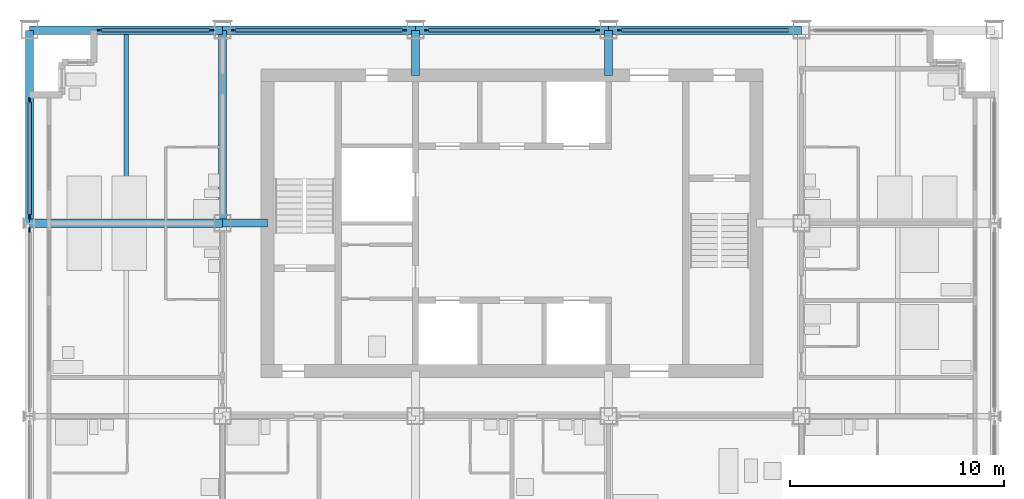
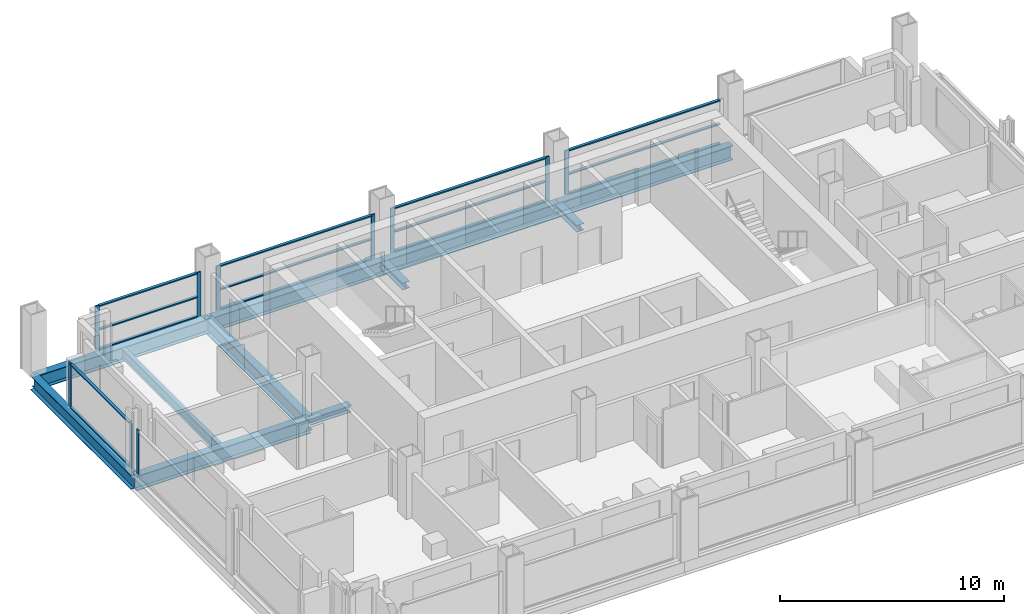
# One storey, part 4 of 13: 27 members, 8 beams, 6 elements without a shape of their own.
"""IFC4 building model written with IfcOpenShell, lengths in metres."""

from ifc_helpers import new_model, si_unit, direction, frame, origin, origin_2d, place, context, subcontext, project, spatial, rectangle, i_section, extrude, material, material_profile, profile_set, type_object, element, aggregate, save


model = new_model("IFC4")

# Units and contexts
model_context = context("Model", 3, precision=1e-05, world=origin(), true_north=direction((0.0, 1.0)))
body_context = subcontext(model_context, "Body", "Model", "MODEL_VIEW")
ifc_project = project(units=[si_unit("LENGTHUNIT", "METRE"), si_unit("AREAUNIT", "SQUARE_METRE"), si_unit("VOLUMEUNIT", "CUBIC_METRE"), si_unit("PLANEANGLEUNIT", "RADIAN"), si_unit("MASSUNIT", "GRAM", prefix="KILO")], contexts=[model_context])

# Site, building, storey
site_placement = place(None, origin())
site = spatial("IfcSite", under=ifc_project, at=site_placement, CompositionType="ELEMENT")
building_placement = place(site_placement, origin())
building = spatial("IfcBuilding", under=site, at=building_placement, Name="Loomwork Tower", CompositionType="ELEMENT")
storey_placement = place(building_placement, frame((0.0, 0.0, 201.199951171875)))
storey = spatial("IfcBuildingStorey", under=building, at=storey_placement, Name="L55", CompositionType="ELEMENT", Elevation=201.199951171875)

# Beams
ifc_material_1 = material(Name="Steel ASTM A992", Category="steel")
ifc_material_profile_1 = material_profile(ifc_material_1, i_section(OverallWidth=0.383544921875, OverallDepth=0.794921875, WebThickness=0.02099609375, FlangeThickness=0.0380859375, at=origin_2d()), Name="W30x235")
ifc_profile_set_1 = profile_set([ifc_material_profile_1], Name="Steel ASTM A992")
beam_type_1 = type_object("IfcBeamType", Name="CORE FLANK GIRDER W30x235", PredefinedType="BEAM", material=ifc_profile_set_1)
for number, where, z_axis, x_axis, name in (
    (1, (0.0, 18.0, -0.597412109375), (1.0, 0.0, 0.0), (0.0, 1.0, 0.0), "Core Flank Girder F/2-F/3 L55"),
    (2, (9.0, 18.0, -0.597412109375), (0.0, 1.0, 0.0), (-1.0, 0.0, 0.0), "Core Flank Girder F/3-G/3 L55"),
):
    element("IfcBeam", number, at=place(storey_placement, frame(where, z_axis=z_axis, x_axis=x_axis)), inside=storey, type_object=beam_type_1, Name=name, PredefinedType="BEAM", context=body_context, shape_type="SweptSolid", body=[
        extrude(i_section(OverallWidth=0.383544921875, OverallDepth=0.794921875, WebThickness=0.02099609375, FlangeThickness=0.0380859375, at=origin_2d()), origin(), (0.0, 0.0, 1.0), 9.0),
    ])

# Members
ifc_material_2 = material(Name="Steel ASTM A992", Category="steel")
ifc_material_profile_2 = material_profile(ifc_material_2, i_section(OverallWidth=0.373291015625, OverallDepth=0.373291015625, WebThickness=0.016357421875, FlangeThickness=0.026123046875, at=origin_2d()), Name="W14x132")
ifc_profile_set_2 = profile_set([ifc_material_profile_2], Name="Steel ASTM A992")
member_type_1 = type_object("IfcMemberType", Name="CORE LINK STRUT W14x132", PredefinedType="STRUT", material=ifc_profile_set_2)
for number, where, z_axis, x_axis, name in (
    (3, (27.0, 27.0, -0.38671875), (0.0, -1.0, 0.0), (1.0, 0.0, 0.0), "Core link strut G/5-27.000,24.900 L55"),
    (4, (18.0, 27.0, -0.38671875), (0.0, -1.0, 0.0), (1.0, 0.0, 0.0), "Core link strut G/4-18.000,24.900 L55"),
    (5, (9.0, 18.0, -0.38671875), (1.0, 0.0, 0.0), (0.0, 1.0, 0.0), "Core link strut F/3-11.100,18.000 L55"),
):
    element("IfcMember", number, at=place(storey_placement, frame(where, z_axis=z_axis, x_axis=x_axis)), inside=storey, type_object=member_type_1, Name=name, PredefinedType="STRUT", context=body_context, shape_type="SweptSolid", body=[
        extrude(i_section(OverallWidth=0.373291015625, OverallDepth=0.373291015625, WebThickness=0.016357421875, FlangeThickness=0.026123046875, at=origin_2d()), origin(), (0.0, 0.0, 1.0), 2.10009765625),
    ])

# Beam
ifc_material_3 = material(Name="Steel ASTM A992", Category="steel")
ifc_material_profile_3 = material_profile(ifc_material_3, i_section(OverallWidth=0.2109375, OverallDepth=0.53857421875, WebThickness=0.011474609375, FlangeThickness=0.018798828125, at=origin_2d()), Name="W21x73")
ifc_profile_set_3 = profile_set([ifc_material_profile_3], Name="Steel ASTM A992")
beam_type_2 = type_object("IfcBeamType", Name="FLOOR JOIST W21x73", PredefinedType="JOIST", material=ifc_profile_set_3)
beam_placement = place(storey_placement, frame((4.5, 18.19091796875, -0.46923828125), z_axis=(0.0, 1.0, 0.0), x_axis=(-1.0, 0.0, 0.0)))
element("IfcBeam", 6, at=beam_placement, inside=storey, type_object=beam_type_2, Name="Floor Joist 4.500,18.000-4.500,27.000 L55", PredefinedType="JOIST", context=body_context, shape_type="SweptSolid", body=[
    extrude(i_section(OverallWidth=0.2109375, OverallDepth=0.53857421875, WebThickness=0.011474609375, FlangeThickness=0.018798828125, at=origin_2d()), origin(), (0.0, 0.0, 1.0), 8.619140625),
])

# Curtain wall, member
ifc_material_4 = material(Name="Aluminium curtain wall frame", Category="aluminium")
curtain_wall_type_1 = type_object("IfcCurtainWallType", Name="Outer skin glazing hotel", PredefinedType="NOTDEFINED", material=ifc_material_4)
curtain_wall_1_placement = place(storey_placement, origin())
curtain_wall_1 = element("IfcCurtainWall", 7, at=curtain_wall_1_placement, inside=storey, type_object=curtain_wall_type_1, Name="Outer skin glazing hotel cw/W-9", PredefinedType="NOTDEFINED")
ifc_material_5 = material(Name="Aluminium curtain wall frame", Category="aluminium")
ifc_material_profile_4 = material_profile(ifc_material_5, rectangle(XDim=0.06494140625, YDim=0.199951171875, at=origin_2d()), Name="AL 65x200")
ifc_profile_set_4 = profile_set([ifc_material_profile_4], Name="Aluminium curtain wall frame")
member_type_2 = type_object("IfcMemberType", Name="Outer skin glazing hotel mullion", PredefinedType="MULLION", material=ifc_profile_set_4)
member_1_placement = place(storey_placement, frame((0.0, 17.6865234375, 0.0), z_axis=(0.0, 0.0, 1.0), x_axis=(1.0, 0.0, 0.0)))
member_1 = element("IfcMember", 8, at=member_1_placement, type_object=member_type_2, Name="CW1 mullion 1", PredefinedType="MULLION", context=body_context, shape_type="SweptSolid", body=[
    extrude(rectangle(XDim=0.06494140625, YDim=0.199951171875, at=origin_2d()), origin(), (0.0, 0.0, 1.0), 2.420166015625),
])
aggregate(curtain_wall_1, [member_1])

# Curtain wall, members
curtain_wall_2_placement = place(storey_placement, origin())
curtain_wall_2 = element("IfcCurtainWall", 9, at=curtain_wall_2_placement, inside=storey, type_object=curtain_wall_type_1, Name="Outer skin glazing hotel cw/W-18", PredefinedType="NOTDEFINED")
member_2_placement = place(storey_placement, frame((0.0, 23.75, 0.0), z_axis=(0.0, 0.0, 1.0), x_axis=(1.0, 0.0, 0.0)))
member_2 = element("IfcMember", 10, at=member_2_placement, type_object=member_type_2, Name="CW1 mullion 1", PredefinedType="MULLION", context=body_context, shape_type="SweptSolid", body=[
    extrude(rectangle(XDim=0.06494140625, YDim=0.199951171875, at=origin_2d()), origin(), (0.0, 0.0, 1.0), 2.420166015625),
])
member_3_placement = place(storey_placement, frame((0.0, 18.3134765625, 0.0), z_axis=(0.0, 0.0, 1.0), x_axis=(1.0, 0.0, 0.0)))
member_3 = element("IfcMember", 11, at=member_3_placement, type_object=member_type_2, Name="CW1 mullion 2", PredefinedType="MULLION", context=body_context, shape_type="SweptSolid", body=[
    extrude(rectangle(XDim=0.06494140625, YDim=0.199951171875, at=origin_2d()), origin(), (0.0, 0.0, 1.0), 2.420166015625),
])
ifc_material_6 = material(Name="Aluminium curtain wall frame", Category="aluminium")
ifc_material_profile_5 = material_profile(ifc_material_6, rectangle(XDim=0.14990234375, YDim=0.06494140625, at=origin_2d()), Name="AL 65x150")
ifc_profile_set_5 = profile_set([ifc_material_profile_5], Name="Aluminium curtain wall frame")
member_type_3 = type_object("IfcMemberType", Name="Outer skin glazing hotel transom", PredefinedType="USERDEFINED", material=ifc_profile_set_5)
member_4_placement = place(storey_placement, frame((0.0, 23.64990234375, 0.032470703125), z_axis=(0.0, -1.0, 0.0), x_axis=(1.0, 0.0, 0.0)))
member_4 = element("IfcMember", 12, at=member_4_placement, type_object=member_type_3, Name="CW1 transom 1.1", ObjectType="TRANSOM", PredefinedType="USERDEFINED", context=body_context, shape_type="SweptSolid", body=[
    extrude(rectangle(XDim=0.14990234375, YDim=0.06494140625, at=origin_2d()), origin(), (0.0, 0.0, 1.0), 5.236572265625),
])
member_5_placement = place(storey_placement, frame((0.0, 23.64990234375, 2.3876953125), z_axis=(0.0, -1.0, 0.0), x_axis=(1.0, 0.0, 0.0)))
member_5 = element("IfcMember", 13, at=member_5_placement, type_object=member_type_3, Name="CW1 transom 1.2", ObjectType="TRANSOM", PredefinedType="USERDEFINED", context=body_context, shape_type="SweptSolid", body=[
    extrude(rectangle(XDim=0.14990234375, YDim=0.06494140625, at=origin_2d()), origin(), (0.0, 0.0, 1.0), 5.236572265625),
])
aggregate(curtain_wall_2, [member_2, member_3, member_4, member_5])

# Beams
ifc_material_7 = material(Name="Steel ASTM A992", Category="steel")
ifc_material_profile_6 = material_profile(ifc_material_7, i_section(OverallWidth=0.381103515625, OverallDepth=0.77978515625, WebThickness=0.01806640625, FlangeThickness=0.0302734375, at=origin_2d()), Name="W30x191")
ifc_profile_set_6 = profile_set([ifc_material_profile_6], Name="Steel ASTM A992")
beam_type_3 = type_object("IfcBeamType", Name="SPANDREL GIRDER W30x191", PredefinedType="SPANDREL", material=ifc_profile_set_6)
for number, where, z_axis, x_axis, name in (
    (14, (0.0, 27.0, -0.58984375), (1.0, 0.0, 0.0), (0.0, 1.0, 0.0), "Spandrel Girder G/2-G/3 L55"),
    (15, (9.0, 27.0, -0.58984375), (1.0, 0.0, 0.0), (0.0, 1.0, 0.0), "Spandrel Girder G/3-G/4 L55"),
    (16, (18.0, 27.0, -0.58984375), (1.0, 0.0, 0.0), (0.0, 1.0, 0.0), "Spandrel Girder G/4-G/5 L55"),
    (17, (27.0, 27.0, -0.58984375), (1.0, 0.0, 0.0), (0.0, 1.0, 0.0), "Spandrel Girder G/5-G/6 L55"),
    (18, (0.0, 18.0, -0.58984375), (0.0, 1.0, 0.0), (-1.0, 0.0, 0.0), "Spandrel Girder F/2-G/2 L55"),
):
    element("IfcBeam", number, at=place(storey_placement, frame(where, z_axis=z_axis, x_axis=x_axis)), inside=storey, type_object=beam_type_3, Name=name, PredefinedType="SPANDREL", context=body_context, shape_type="SweptSolid", body=[
        extrude(i_section(OverallWidth=0.381103515625, OverallDepth=0.77978515625, WebThickness=0.01806640625, FlangeThickness=0.0302734375, at=origin_2d()), origin(), (0.0, 0.0, 1.0), 9.0),
    ])

# Curtain wall, members
ifc_material_8 = material(Name="Aluminium curtain wall frame", Category="aluminium")
curtain_wall_type_2 = type_object("IfcCurtainWallType", Name="Single skin glazing corridor", PredefinedType="NOTDEFINED", material=ifc_material_8)
curtain_wall_3_placement = place(storey_placement, origin())
curtain_wall_3 = element("IfcCurtainWall", 19, at=curtain_wall_3_placement, inside=storey, type_object=curtain_wall_type_2, Name="Single skin glazing corridor cw/N-0", PredefinedType="NOTDEFINED")
ifc_material_9 = material(Name="Aluminium curtain wall frame", Category="aluminium")
ifc_material_profile_7 = material_profile(ifc_material_9, rectangle(XDim=0.06494140625, YDim=0.199951171875, at=origin_2d()), Name="AL 65x200")
ifc_profile_set_7 = profile_set([ifc_material_profile_7], Name="Aluminium curtain wall frame")
member_type_4 = type_object("IfcMemberType", Name="Single skin glazing corridor mullion", PredefinedType="MULLION", material=ifc_profile_set_7)
member_6_placement = place(storey_placement, frame((8.5, 27.0, 0.0), z_axis=(0.0, 0.0, 1.0), x_axis=(0.0, -1.0, 0.0)))
member_6 = element("IfcMember", 20, at=member_6_placement, type_object=member_type_4, Name="CW3 mullion 1", PredefinedType="MULLION", context=body_context, shape_type="SweptSolid", body=[
    extrude(rectangle(XDim=0.06494140625, YDim=0.199951171875, at=origin_2d()), origin(), (0.0, 0.0, 1.0), 2.420166015625),
])
member_7_placement = place(storey_placement, frame((3.25, 27.0, 0.0), z_axis=(0.0, 0.0, 1.0), x_axis=(0.0, -1.0, 0.0)))
member_7 = element("IfcMember", 21, at=member_7_placement, type_object=member_type_4, Name="CW3 mullion 2", PredefinedType="MULLION", context=body_context, shape_type="SweptSolid", body=[
    extrude(rectangle(XDim=0.06494140625, YDim=0.199951171875, at=origin_2d()), origin(), (0.0, 0.0, 1.0), 2.420166015625),
])

curtain_wall_4_placement = place(storey_placement, origin())
curtain_wall_4 = element("IfcCurtainWall", 22, at=curtain_wall_4_placement, inside=storey, type_object=curtain_wall_type_2, Name="Single skin glazing corridor cw/N-9", PredefinedType="NOTDEFINED")
member_8_placement = place(storey_placement, frame((17.5, 27.0, 0.0), z_axis=(0.0, 0.0, 1.0), x_axis=(0.0, -1.0, 0.0)))
member_8 = element("IfcMember", 23, at=member_8_placement, type_object=member_type_4, Name="CW3 mullion 1", PredefinedType="MULLION", context=body_context, shape_type="SweptSolid", body=[
    extrude(rectangle(XDim=0.06494140625, YDim=0.199951171875, at=origin_2d()), origin(), (0.0, 0.0, 1.0), 2.420166015625),
])
member_9_placement = place(storey_placement, frame((9.5, 27.0, 0.0), z_axis=(0.0, 0.0, 1.0), x_axis=(0.0, -1.0, 0.0)))
member_9 = element("IfcMember", 24, at=member_9_placement, type_object=member_type_4, Name="CW3 mullion 2", PredefinedType="MULLION", context=body_context, shape_type="SweptSolid", body=[
    extrude(rectangle(XDim=0.06494140625, YDim=0.199951171875, at=origin_2d()), origin(), (0.0, 0.0, 1.0), 2.420166015625),
])

curtain_wall_5_placement = place(storey_placement, origin())
curtain_wall_5 = element("IfcCurtainWall", 25, at=curtain_wall_5_placement, inside=storey, type_object=curtain_wall_type_2, Name="Single skin glazing corridor cw/N-18", PredefinedType="NOTDEFINED")
member_10_placement = place(storey_placement, frame((26.5, 27.0, 0.0), z_axis=(0.0, 0.0, 1.0), x_axis=(0.0, -1.0, 0.0)))
member_10 = element("IfcMember", 26, at=member_10_placement, type_object=member_type_4, Name="CW3 mullion 1", PredefinedType="MULLION", context=body_context, shape_type="SweptSolid", body=[
    extrude(rectangle(XDim=0.06494140625, YDim=0.199951171875, at=origin_2d()), origin(), (0.0, 0.0, 1.0), 2.420166015625),
])
member_11_placement = place(storey_placement, frame((18.5, 27.0, 0.0), z_axis=(0.0, 0.0, 1.0), x_axis=(0.0, -1.0, 0.0)))
member_11 = element("IfcMember", 27, at=member_11_placement, type_object=member_type_4, Name="CW3 mullion 2", PredefinedType="MULLION", context=body_context, shape_type="SweptSolid", body=[
    extrude(rectangle(XDim=0.06494140625, YDim=0.199951171875, at=origin_2d()), origin(), (0.0, 0.0, 1.0), 2.420166015625),
])

# Curtain wall, member
curtain_wall_6_placement = place(storey_placement, origin())
curtain_wall_6 = element("IfcCurtainWall", 28, at=curtain_wall_6_placement, inside=storey, type_object=curtain_wall_type_2, Name="Single skin glazing corridor cw/N-27", PredefinedType="NOTDEFINED")
member_12_placement = place(storey_placement, frame((27.5, 27.0, 0.0), z_axis=(0.0, 0.0, 1.0), x_axis=(0.0, -1.0, 0.0)))
member_12 = element("IfcMember", 29, at=member_12_placement, type_object=member_type_4, Name="CW3 mullion 2", PredefinedType="MULLION", context=body_context, shape_type="SweptSolid", body=[
    extrude(rectangle(XDim=0.06494140625, YDim=0.199951171875, at=origin_2d()), origin(), (0.0, 0.0, 1.0), 2.420166015625),
])

# Member
ifc_material_10 = material(Name="Aluminium curtain wall frame", Category="aluminium")
ifc_material_profile_8 = material_profile(ifc_material_10, rectangle(XDim=0.14990234375, YDim=0.06494140625, at=origin_2d()), Name="AL 65x150")
ifc_profile_set_8 = profile_set([ifc_material_profile_8], Name="Aluminium curtain wall frame")
member_type_5 = type_object("IfcMemberType", Name="Single skin glazing corridor transom", PredefinedType="USERDEFINED", material=ifc_profile_set_8)
member_13_placement = place(storey_placement, frame((8.39990234375, 27.0, 0.032470703125), z_axis=(-1.0, 0.0, 0.0), x_axis=(0.0, -1.0, 0.0)))
member_13 = element("IfcMember", 30, at=member_13_placement, type_object=member_type_5, Name="CW3 transom 1.1", ObjectType="TRANSOM", PredefinedType="USERDEFINED", context=body_context, shape_type="SweptSolid", body=[
    extrude(rectangle(XDim=0.14990234375, YDim=0.06494140625, at=origin_2d()), origin(), (0.0, 0.0, 1.0), 5.0498046875),
])

member_14_placement = place(storey_placement, frame((8.39990234375, 27.0, 1.10009765625), z_axis=(-1.0, 0.0, 0.0), x_axis=(0.0, -1.0, 0.0)))
member_14 = element("IfcMember", 31, at=member_14_placement, type_object=member_type_5, Name="CW3 transom 1.2", ObjectType="TRANSOM", PredefinedType="USERDEFINED", context=body_context, shape_type="SweptSolid", body=[
    extrude(rectangle(XDim=0.14990234375, YDim=0.06494140625, at=origin_2d()), origin(), (0.0, 0.0, 1.0), 5.0498046875),
])

member_15_placement = place(storey_placement, frame((8.39990234375, 27.0, 2.3876953125), z_axis=(-1.0, 0.0, 0.0), x_axis=(0.0, -1.0, 0.0)))
member_15 = element("IfcMember", 32, at=member_15_placement, type_object=member_type_5, Name="CW3 transom 1.3", ObjectType="TRANSOM", PredefinedType="USERDEFINED", context=body_context, shape_type="SweptSolid", body=[
    extrude(rectangle(XDim=0.14990234375, YDim=0.06494140625, at=origin_2d()), origin(), (0.0, 0.0, 1.0), 5.0498046875),
])

aggregate(curtain_wall_3, [member_6, member_7, member_13, member_14, member_15])

member_16_placement = place(storey_placement, frame((17.39990234375, 27.0, 0.032470703125), z_axis=(-1.0, 0.0, 0.0), x_axis=(0.0, -1.0, 0.0)))
member_16 = element("IfcMember", 33, at=member_16_placement, type_object=member_type_5, Name="CW3 transom 1.1", ObjectType="TRANSOM", PredefinedType="USERDEFINED", context=body_context, shape_type="SweptSolid", body=[
    extrude(rectangle(XDim=0.14990234375, YDim=0.06494140625, at=origin_2d()), origin(), (0.0, 0.0, 1.0), 7.7998046875),
])

member_17_placement = place(storey_placement, frame((17.39990234375, 27.0, 1.10009765625), z_axis=(-1.0, 0.0, 0.0), x_axis=(0.0, -1.0, 0.0)))
member_17 = element("IfcMember", 34, at=member_17_placement, type_object=member_type_5, Name="CW3 transom 1.2", ObjectType="TRANSOM", PredefinedType="USERDEFINED", context=body_context, shape_type="SweptSolid", body=[
    extrude(rectangle(XDim=0.14990234375, YDim=0.06494140625, at=origin_2d()), origin(), (0.0, 0.0, 1.0), 7.7998046875),
])

member_18_placement = place(storey_placement, frame((17.39990234375, 27.0, 2.3876953125), z_axis=(-1.0, 0.0, 0.0), x_axis=(0.0, -1.0, 0.0)))
member_18 = element("IfcMember", 35, at=member_18_placement, type_object=member_type_5, Name="CW3 transom 1.3", ObjectType="TRANSOM", PredefinedType="USERDEFINED", context=body_context, shape_type="SweptSolid", body=[
    extrude(rectangle(XDim=0.14990234375, YDim=0.06494140625, at=origin_2d()), origin(), (0.0, 0.0, 1.0), 7.7998046875),
])

aggregate(curtain_wall_4, [member_8, member_9, member_16, member_17, member_18])

member_19_placement = place(storey_placement, frame((26.39990234375, 27.0, 0.032470703125), z_axis=(-1.0, 0.0, 0.0), x_axis=(0.0, -1.0, 0.0)))
member_19 = element("IfcMember", 36, at=member_19_placement, type_object=member_type_5, Name="CW3 transom 1.1", ObjectType="TRANSOM", PredefinedType="USERDEFINED", context=body_context, shape_type="SweptSolid", body=[
    extrude(rectangle(XDim=0.14990234375, YDim=0.06494140625, at=origin_2d()), origin(), (0.0, 0.0, 1.0), 7.7998046875),
])

member_20_placement = place(storey_placement, frame((26.39990234375, 27.0, 1.10009765625), z_axis=(-1.0, 0.0, 0.0), x_axis=(0.0, -1.0, 0.0)))
member_20 = element("IfcMember", 37, at=member_20_placement, type_object=member_type_5, Name="CW3 transom 1.2", ObjectType="TRANSOM", PredefinedType="USERDEFINED", context=body_context, shape_type="SweptSolid", body=[
    extrude(rectangle(XDim=0.14990234375, YDim=0.06494140625, at=origin_2d()), origin(), (0.0, 0.0, 1.0), 7.7998046875),
])

member_21_placement = place(storey_placement, frame((26.39990234375, 27.0, 2.3876953125), z_axis=(-1.0, 0.0, 0.0), x_axis=(0.0, -1.0, 0.0)))
member_21 = element("IfcMember", 38, at=member_21_placement, type_object=member_type_5, Name="CW3 transom 1.3", ObjectType="TRANSOM", PredefinedType="USERDEFINED", context=body_context, shape_type="SweptSolid", body=[
    extrude(rectangle(XDim=0.14990234375, YDim=0.06494140625, at=origin_2d()), origin(), (0.0, 0.0, 1.0), 7.7998046875),
])

aggregate(curtain_wall_5, [member_10, member_11, member_19, member_20, member_21])

member_22_placement = place(storey_placement, frame((35.39990234375, 27.0, 0.032470703125), z_axis=(-1.0, 0.0, 0.0), x_axis=(0.0, -1.0, 0.0)))
member_22 = element("IfcMember", 39, at=member_22_placement, type_object=member_type_5, Name="CW3 transom 1.1", ObjectType="TRANSOM", PredefinedType="USERDEFINED", context=body_context, shape_type="SweptSolid", body=[
    extrude(rectangle(XDim=0.14990234375, YDim=0.06494140625, at=origin_2d()), origin(), (0.0, 0.0, 1.0), 7.7998046875),
])

member_23_placement = place(storey_placement, frame((35.39990234375, 27.0, 1.10009765625), z_axis=(-1.0, 0.0, 0.0), x_axis=(0.0, -1.0, 0.0)))
member_23 = element("IfcMember", 40, at=member_23_placement, type_object=member_type_5, Name="CW3 transom 1.2", ObjectType="TRANSOM", PredefinedType="USERDEFINED", context=body_context, shape_type="SweptSolid", body=[
    extrude(rectangle(XDim=0.14990234375, YDim=0.06494140625, at=origin_2d()), origin(), (0.0, 0.0, 1.0), 7.7998046875),
])

member_24_placement = place(storey_placement, frame((35.39990234375, 27.0, 2.3876953125), z_axis=(-1.0, 0.0, 0.0), x_axis=(0.0, -1.0, 0.0)))
member_24 = element("IfcMember", 41, at=member_24_placement, type_object=member_type_5, Name="CW3 transom 1.3", ObjectType="TRANSOM", PredefinedType="USERDEFINED", context=body_context, shape_type="SweptSolid", body=[
    extrude(rectangle(XDim=0.14990234375, YDim=0.06494140625, at=origin_2d()), origin(), (0.0, 0.0, 1.0), 7.7998046875),
])

aggregate(curtain_wall_6, [member_12, member_22, member_23, member_24])

save(model, "model.ifc")
